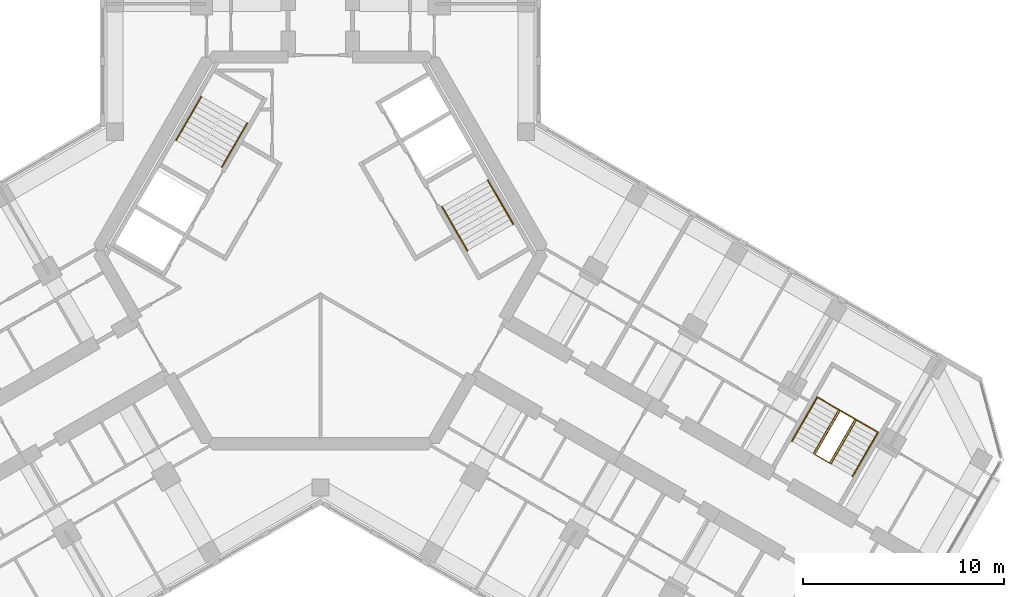
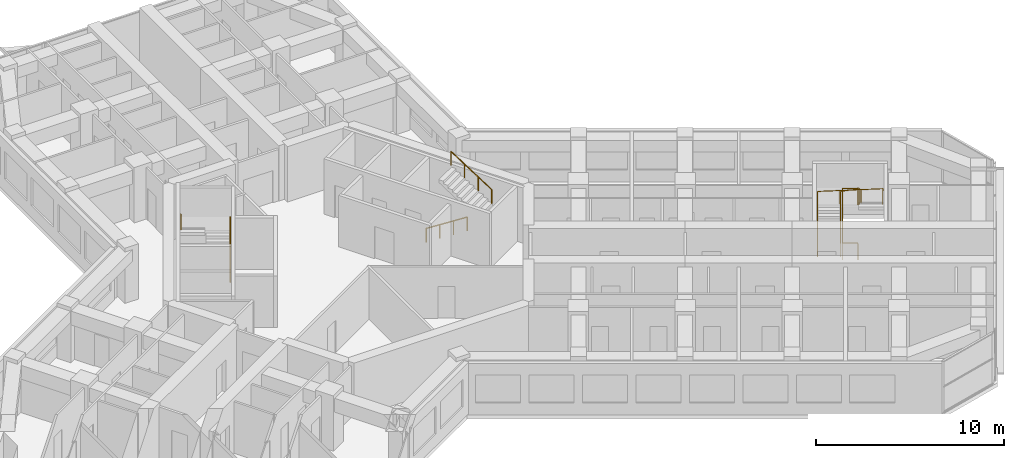
# One storey, part 16 of 16: 7 railings.
"""IFC4 building model written with IfcOpenShell, lengths in metres."""

from ifc_helpers import new_model, si_unit, direction, frame, origin, origin_2d, place, context, subcontext, project, spatial, circle, extrude, material, type_object, element, save


model = new_model("IFC4")

# Units and contexts
model_context = context("Model", 3, precision=1e-05, world=origin(), true_north=direction((0.0, 1.0)))
body_context = subcontext(model_context, "Body", "Model", "MODEL_VIEW")
ifc_project = project(units=[si_unit("LENGTHUNIT", "METRE"), si_unit("AREAUNIT", "SQUARE_METRE"), si_unit("VOLUMEUNIT", "CUBIC_METRE"), si_unit("PLANEANGLEUNIT", "RADIAN"), si_unit("MASSUNIT", "GRAM", prefix="KILO")], contexts=[model_context])

# Site, building, storey
site_placement = place(None, origin())
site = spatial("IfcSite", under=ifc_project, at=site_placement, CompositionType="ELEMENT")
building_placement = place(site_placement, origin())
building = spatial("IfcBuilding", under=site, at=building_placement, Name="Kosmar Iwan School Tower", CompositionType="ELEMENT")
storey_placement = place(building_placement, frame((0.0, 0.0, 238.800048828125)))
storey = spatial("IfcBuildingStorey", under=building, at=storey_placement, Name="L60", CompositionType="ELEMENT", Elevation=238.800048828125)

# Railings
ifc_material_1 = material(Name="Black steel", Category="steel")
railing_type_1 = type_object("IfcRailingType", Name="Stair handrail 900", PredefinedType="HANDRAIL", material=ifc_material_1)
railing_1_placement = place(storey_placement, frame((-4.89453125, 4.142333984375, 0.179931640625)))
element("IfcRailing", 1, at=railing_1_placement, inside=storey, type_object=railing_type_1, Name="Handrail ST2 flight 1", PredefinedType="HANDRAIL", context=body_context, shape_type="SweptSolid", body=[
    extrude(circle(Radius=0.02392578125, at=origin_2d()), frame((0.0, 0.0, 0.8759765625), z_axis=(0.420584145978, 0.728463801763, 0.540785970299), x_axis=(-0.866022637375, 0.500004791531, 0.0)), (0.0, 0.0, 1.0), 2.995849609375),
    extrude(circle(Radius=0.02099609375, at=origin_2d()), origin(), (0.0, 0.0, 1.0), 0.851806640625),
    extrude(circle(Radius=0.02099609375, at=origin_2d()), frame((0.419921875, 0.7275390625, 0.5400390625)), (0.0, 0.0, 1.0), 0.851806640625),
    extrude(circle(Radius=0.02099609375, at=origin_2d()), frame((0.840087890625, 1.454833984375, 1.080078125)), (0.0, 0.0, 1.0), 0.851806640625),
    extrude(circle(Radius=0.02099609375, at=origin_2d()), frame((1.260009765625, 2.182373046875, 1.6201171875)), (0.0, 0.0, 1.0), 0.851806640625),
])
railing_2_placement = place(storey_placement, frame((-5.912353515625, 7.6396484375, 1.97998046875)))
element("IfcRailing", 2, at=railing_2_placement, inside=storey, type_object=railing_type_1, Name="Handrail ST2 flight 2", PredefinedType="HANDRAIL", context=body_context, shape_type="SweptSolid", body=[
    extrude(circle(Radius=0.02392578125, at=origin_2d()), frame((0.0, 0.0, 0.8759765625), z_axis=(-0.42060268101, -0.72849590497, 0.54072830624), x_axis=(0.866022637375, -0.500004791531, 0.0)), (0.0, 0.0, 1.0), 2.99560546875),
    extrude(circle(Radius=0.02099609375, at=origin_2d()), origin(), (0.0, 0.0, 1.0), 0.851806640625),
    extrude(circle(Radius=0.02099609375, at=origin_2d()), frame((-0.419921875, -0.7275390625, 0.5400390625)), (0.0, 0.0, 1.0), 0.851806640625),
    extrude(circle(Radius=0.02099609375, at=origin_2d()), frame((-0.840087890625, -1.454833984375, 1.079833984375)), (0.0, 0.0, 1.0), 0.851806640625),
    extrude(circle(Radius=0.02099609375, at=origin_2d()), frame((-1.260009765625, -2.182373046875, 1.619873046875)), (0.0, 0.0, 1.0), 0.851806640625),
])
railing_3_placement = place(storey_placement, frame((6.03466796875, 2.167724609375, 0.179931640625)))
element("IfcRailing", 3, at=railing_3_placement, inside=storey, type_object=railing_type_1, Name="Handrail ST1 flight 1", PredefinedType="HANDRAIL", context=body_context, shape_type="SweptSolid", body=[
    extrude(circle(Radius=0.02392578125, at=origin_2d()), frame((0.0, 0.0, 0.8759765625), z_axis=(0.420584145978, -0.728463801763, 0.540785970299), x_axis=(0.866022637375, 0.500004791531, 0.0)), (0.0, 0.0, 1.0), 2.995849609375),
    extrude(circle(Radius=0.02099609375, at=origin_2d()), origin(), (0.0, 0.0, 1.0), 0.851806640625),
    extrude(circle(Radius=0.02099609375, at=origin_2d()), frame((0.419921875, -0.7275390625, 0.5400390625)), (0.0, 0.0, 1.0), 0.851806640625),
    extrude(circle(Radius=0.02099609375, at=origin_2d()), frame((0.840087890625, -1.454833984375, 1.080078125)), (0.0, 0.0, 1.0), 0.851806640625),
    extrude(circle(Radius=0.02099609375, at=origin_2d()), frame((1.260009765625, -2.182373046875, 1.6201171875)), (0.0, 0.0, 1.0), 0.851806640625),
])
railing_4_placement = place(storey_placement, frame((9.572265625, 1.30029296875, 1.97998046875)))
element("IfcRailing", 4, at=railing_4_placement, inside=storey, type_object=railing_type_1, Name="Handrail ST1 flight 2", PredefinedType="HANDRAIL", context=body_context, shape_type="SweptSolid", body=[
    extrude(circle(Radius=0.02392578125, at=origin_2d()), frame((0.0, 0.0, 0.8759765625), z_axis=(-0.42060268101, 0.72849590497, 0.54072830624), x_axis=(-0.866022637375, -0.500004791531, 0.0)), (0.0, 0.0, 1.0), 2.99560546875),
    extrude(circle(Radius=0.02099609375, at=origin_2d()), origin(), (0.0, 0.0, 1.0), 0.851806640625),
    extrude(circle(Radius=0.02099609375, at=origin_2d()), frame((-0.419921875, 0.7275390625, 0.5400390625)), (0.0, 0.0, 1.0), 0.851806640625),
    extrude(circle(Radius=0.02099609375, at=origin_2d()), frame((-0.840087890625, 1.454833984375, 1.079833984375)), (0.0, 0.0, 1.0), 0.851806640625),
    extrude(circle(Radius=0.02099609375, at=origin_2d()), frame((-1.260009765625, 2.182373046875, 1.619873046875)), (0.0, 0.0, 1.0), 0.851806640625),
])
railing_5_placement = place(storey_placement, frame((23.4091796875, -9.473876953125, 0.179931640625)))
element("IfcRailing", 5, at=railing_5_placement, inside=storey, type_object=railing_type_1, Name="Handrail stair WS3 L60 wall side", PredefinedType="HANDRAIL", context=body_context, shape_type="SweptSolid", body=[
    extrude(circle(Radius=0.02392578125, at=origin_2d()), frame((0.0, 0.0, 0.8759765625), z_axis=(0.420584145978, 0.728463801763, 0.540785970299), x_axis=(-0.866022637375, 0.500004791531, 0.0)), (0.0, 0.0, 1.0), 2.995849609375),
    extrude(circle(Radius=0.02392578125, at=origin_2d()), frame((1.260009765625, 2.182373046875, 2.49609375), z_axis=(0.864882007433, -0.499312601618, 0.051633701051), x_axis=(0.499979528911, 0.866037222451, 0.0)), (0.0, 0.0, 1.0), 3.48486328125),
    extrude(circle(Radius=0.02392578125, at=origin_2d()), frame((4.27392578125, 0.4423828125, 2.67578125), z_axis=(-0.42060268101, -0.72849590497, 0.54072830624), x_axis=(0.866022637375, -0.500004791531, 0.0)), (0.0, 0.0, 1.0), 2.99560546875),
    extrude(circle(Radius=0.02099609375, at=origin_2d()), origin(), (0.0, 0.0, 1.0), 0.851806640625),
    extrude(circle(Radius=0.02099609375, at=origin_2d()), frame((0.419921875, 0.7275390625, 0.5400390625)), (0.0, 0.0, 1.0), 0.851806640625),
    extrude(circle(Radius=0.02099609375, at=origin_2d()), frame((0.840087890625, 1.454833984375, 1.080078125)), (0.0, 0.0, 1.0), 0.851806640625),
    extrude(circle(Radius=0.02099609375, at=origin_2d()), frame((1.260009765625, 2.182373046875, 1.6201171875)), (0.0, 0.0, 1.0), 0.851806640625),
    extrude(circle(Radius=0.02099609375, at=origin_2d()), frame((2.2646484375, 1.602294921875, 1.68017578125)), (0.0, 0.0, 1.0), 0.851806640625),
    extrude(circle(Radius=0.02099609375, at=origin_2d()), frame((3.269287109375, 1.0224609375, 1.739990234375)), (0.0, 0.0, 1.0), 0.851806640625),
    extrude(circle(Radius=0.02099609375, at=origin_2d()), frame((4.27392578125, 0.4423828125, 1.800048828125)), (0.0, 0.0, 1.0), 0.851806640625),
    extrude(circle(Radius=0.02099609375, at=origin_2d()), frame((3.85400390625, -0.28515625, 2.340087890625)), (0.0, 0.0, 1.0), 0.851806640625),
    extrude(circle(Radius=0.02099609375, at=origin_2d()), frame((3.433837890625, -1.012451171875, 2.8798828125)), (0.0, 0.0, 1.0), 0.851806640625),
    extrude(circle(Radius=0.02099609375, at=origin_2d()), frame((3.013916015625, -1.739990234375, 3.419921875)), (0.0, 0.0, 1.0), 0.851806640625),
])
railing_6_placement = place(storey_placement, frame((24.474609375, -10.0888671875, 0.179931640625)))
element("IfcRailing", 6, at=railing_6_placement, inside=storey, type_object=railing_type_1, Name="Handrail stair WS3 L60 well side", PredefinedType="HANDRAIL", context=body_context, shape_type="SweptSolid", body=[
    extrude(circle(Radius=0.02392578125, at=origin_2d()), frame((0.0, 0.0, 0.8759765625), z_axis=(0.420584145978, 0.728463801763, 0.540785970299), x_axis=(-0.866022637375, 0.500004791531, 0.0)), (0.0, 0.0, 1.0), 2.995849609375),
    extrude(circle(Radius=0.02392578125, at=origin_2d()), frame((1.260009765625, 2.182373046875, 2.49609375), z_axis=(0.852841519511, -0.492422867401, 0.173726976197), x_axis=(0.500026340207, 0.866010195725, 0.0)), (0.0, 0.0, 1.0), 1.03564453125),
    extrude(circle(Radius=0.02392578125, at=origin_2d()), frame((2.143310546875, 1.67236328125, 2.67578125), z_axis=(-0.42060268101, -0.72849590497, 0.54072830624), x_axis=(0.866022637375, -0.500004791531, 0.0)), (0.0, 0.0, 1.0), 2.99560546875),
    extrude(circle(Radius=0.02099609375, at=origin_2d()), origin(), (0.0, 0.0, 1.0), 0.851806640625),
    extrude(circle(Radius=0.02099609375, at=origin_2d()), frame((0.419921875, 0.7275390625, 0.5400390625)), (0.0, 0.0, 1.0), 0.851806640625),
    extrude(circle(Radius=0.02099609375, at=origin_2d()), frame((0.840087890625, 1.454833984375, 1.080078125)), (0.0, 0.0, 1.0), 0.851806640625),
    extrude(circle(Radius=0.02099609375, at=origin_2d()), frame((1.260009765625, 2.182373046875, 1.6201171875)), (0.0, 0.0, 1.0), 0.851806640625),
    extrude(circle(Radius=0.02099609375, at=origin_2d()), frame((2.143310546875, 1.67236328125, 1.800048828125)), (0.0, 0.0, 1.0), 0.851806640625),
    extrude(circle(Radius=0.02099609375, at=origin_2d()), frame((1.723388671875, 0.94482421875, 2.340087890625)), (0.0, 0.0, 1.0), 0.851806640625),
    extrude(circle(Radius=0.02099609375, at=origin_2d()), frame((1.30322265625, 0.217529296875, 2.8798828125)), (0.0, 0.0, 1.0), 0.851806640625),
    extrude(circle(Radius=0.02099609375, at=origin_2d()), frame((0.88330078125, -0.510009765625, 3.419921875)), (0.0, 0.0, 1.0), 0.851806640625),
])
ifc_material_2 = material(Name="Black steel", Category="steel")
railing_type_2 = type_object("IfcRailingType", Name="Stair well guard 1100", PredefinedType="GUARDRAIL", material=ifc_material_2)
railing_7_placement = place(storey_placement, frame((25.280029296875, -10.553955078125, 0.0)))
element("IfcRailing", 7, at=railing_7_placement, inside=storey, type_object=railing_type_2, Name="Stair WS3 L60 well guard", PredefinedType="GUARDRAIL", context=body_context, shape_type="SweptSolid", body=[
    extrude(circle(Radius=0.02392578125, at=origin_2d()), frame((0.0, 0.0, 1.076171875), z_axis=(-0.865962960534, 0.500108139288, 0.0), x_axis=(-0.500108139288, -0.865962960534, 0.0)), (0.0, 0.0, 1.0), 0.840087890625),
    extrude(circle(Radius=0.02392578125, at=origin_2d()), frame((-0.7275390625, 0.420166015625, 1.076171875), z_axis=(0.40686665399, 0.704704712268, 0.58124933925), x_axis=(-0.866022637375, 0.500004791531, 0.0)), (0.0, 0.0, 1.0), 3.096923828125),
    extrude(circle(Radius=0.02392578125, at=origin_2d()), frame((0.532470703125, 2.6025390625, 2.8759765625), z_axis=(0.865890253765, -0.500234013672, 0.0), x_axis=(0.500234013672, 0.865890253765, 0.0)), (0.0, 0.0, 1.0), 0.83984375),
    extrude(circle(Radius=0.02392578125, at=origin_2d()), frame((1.259765625, 2.182373046875, 2.8759765625), z_axis=(-0.406819508263, -0.704759609372, 0.581215778084), x_axis=(0.866064587494, -0.499932125682, 0.0)), (0.0, 0.0, 1.0), 3.0966796875),
    extrude(circle(Radius=0.02099609375, at=origin_2d()), origin(), (0.0, 0.0, 1.0), 1.052001953125),
    extrude(circle(Radius=0.02099609375, at=origin_2d()), frame((-0.7275390625, 0.420166015625, 0.0)), (0.0, 0.0, 1.0), 1.052001953125),
    extrude(circle(Radius=0.02099609375, at=origin_2d()), frame((-0.3076171875, 1.147705078125, 0.60009765625)), (0.0, 0.0, 1.0), 1.052001953125),
    extrude(circle(Radius=0.02099609375, at=origin_2d()), frame((0.112548828125, 1.875, 1.199951171875)), (0.0, 0.0, 1.0), 1.052001953125),
    extrude(circle(Radius=0.02099609375, at=origin_2d()), frame((0.532470703125, 2.6025390625, 1.800048828125)), (0.0, 0.0, 1.0), 1.052001953125),
    extrude(circle(Radius=0.02099609375, at=origin_2d()), frame((1.259765625, 2.182373046875, 1.800048828125)), (0.0, 0.0, 1.0), 1.052001953125),
    extrude(circle(Radius=0.02099609375, at=origin_2d()), frame((0.83984375, 1.454833984375, 2.39990234375)), (0.0, 0.0, 1.0), 1.052001953125),
    extrude(circle(Radius=0.02099609375, at=origin_2d()), frame((0.419921875, 0.7275390625, 3.0)), (0.0, 0.0, 1.0), 1.052001953125),
    extrude(circle(Radius=0.02099609375, at=origin_2d()), frame((0.0, 0.0, 3.599853515625)), (0.0, 0.0, 1.0), 1.052001953125),
])

save(model, "model.ifc")
